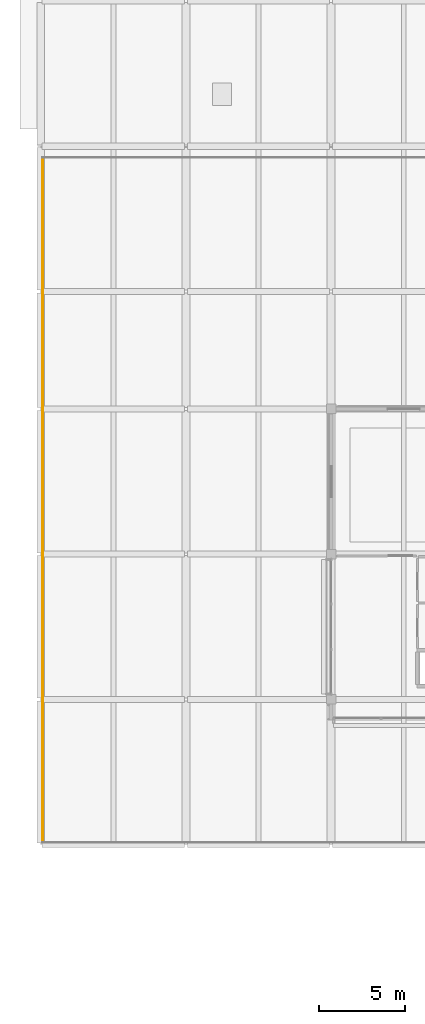
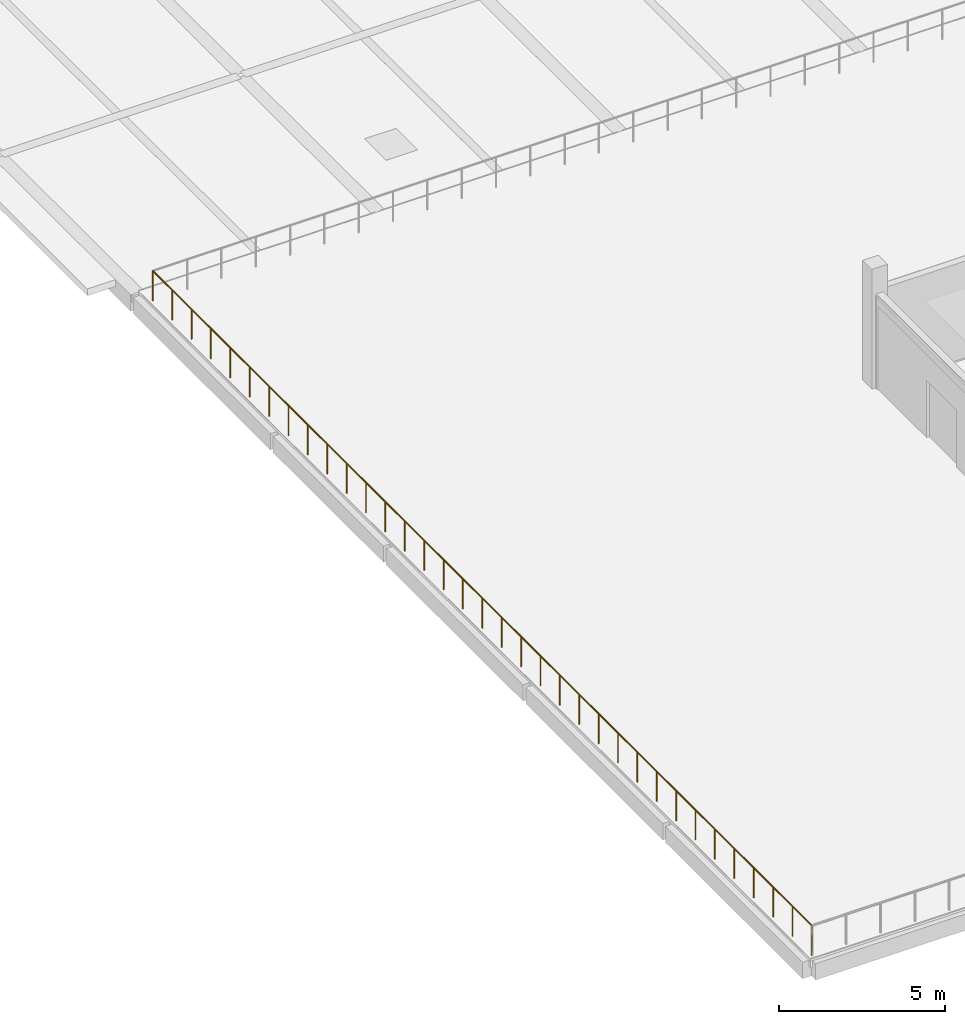
# One storey, part 38 of 59: 1 railing.
"""IFC4 building model written with IfcOpenShell, lengths in metres."""

from ifc_helpers import new_model, si_unit, direction, frame, origin, origin_2d, place, context, subcontext, project, spatial, circle, extrude, material, type_object, element, save


model = new_model("IFC4")

# Units and contexts
model_context = context("Model", 3, precision=1e-05, world=origin(), true_north=direction((0.0, 1.0)))
body_context = subcontext(model_context, "Body", "Model", "MODEL_VIEW")
ifc_project = project(units=[si_unit("LENGTHUNIT", "METRE"), si_unit("AREAUNIT", "SQUARE_METRE"), si_unit("VOLUMEUNIT", "CUBIC_METRE"), si_unit("PLANEANGLEUNIT", "RADIAN"), si_unit("MASSUNIT", "GRAM", prefix="KILO")], contexts=[model_context])

# Site, building, storey
site_placement = place(None, origin())
site = spatial("IfcSite", under=ifc_project, at=site_placement, CompositionType="ELEMENT")
building_placement = place(site_placement, origin())
building = spatial("IfcBuilding", under=site, at=building_placement, Name="Telukmera Botanical Conservatory", CompositionType="ELEMENT")
storey_placement = place(building_placement, frame((0.0, 0.0, 15.0)))
storey = spatial("IfcBuildingStorey", under=building, at=storey_placement, Name="L03", CompositionType="ELEMENT", Elevation=15.0)

# Railing
ifc_material = material(Name="Brushed stainless steel grade 316", Category="steel")
railing_type = type_object("IfcRailingType", Name="Exterior Terrace Safety Guardrail 1100", PredefinedType="GUARDRAIL", material=ifc_material)
railing_placement = place(storey_placement, frame((8.52001953125, 57.35009765625, 0.110107421875)))
element("IfcRailing", 1, at=railing_placement, inside=storey, type_object=railing_type, Name="Visitor Planted Terrace Guardrail L03 W", PredefinedType="GUARDRAIL", context=body_context, shape_type="SweptSolid", body=[
    extrude(circle(Radius=0.02392578125, at=origin_2d()), frame((0.0, 0.0, 1.09619140625), z_axis=(0.0, -1.0, 0.0), x_axis=(1.0, 0.0, 0.0)), (0.0, 0.0, 1.0), 39.630126953125),
    extrude(circle(Radius=0.02099609375, at=origin_2d()), origin(), (0.0, 0.0, 1.0), 1.072021484375),
    extrude(circle(Radius=0.02099609375, at=origin_2d()), frame((0.0, -1.16552734375, 0.0)), (0.0, 0.0, 1.0), 1.072021484375),
    extrude(circle(Radius=0.02099609375, at=origin_2d()), frame((0.0, -2.331298828125, 0.0)), (0.0, 0.0, 1.0), 1.072021484375),
    extrude(circle(Radius=0.02099609375, at=origin_2d()), frame((0.0, -3.496826171875, 0.0)), (0.0, 0.0, 1.0), 1.072021484375),
    extrude(circle(Radius=0.02099609375, at=origin_2d()), frame((0.0, -4.662353515625, 0.0)), (0.0, 0.0, 1.0), 1.072021484375),
    extrude(circle(Radius=0.02099609375, at=origin_2d()), frame((0.0, -5.827880859375, 0.0)), (0.0, 0.0, 1.0), 1.072021484375),
    extrude(circle(Radius=0.02099609375, at=origin_2d()), frame((0.0, -6.99365234375, 0.0)), (0.0, 0.0, 1.0), 1.072021484375),
    extrude(circle(Radius=0.02099609375, at=origin_2d()), frame((0.0, -8.1591796875, 0.0)), (0.0, 0.0, 1.0), 1.072021484375),
    extrude(circle(Radius=0.02099609375, at=origin_2d()), frame((0.0, -9.32470703125, 0.0)), (0.0, 0.0, 1.0), 1.072021484375),
    extrude(circle(Radius=0.02099609375, at=origin_2d()), frame((0.0, -10.490234375, 0.0)), (0.0, 0.0, 1.0), 1.072021484375),
    extrude(circle(Radius=0.02099609375, at=origin_2d()), frame((0.0, -11.656005859375, 0.0)), (0.0, 0.0, 1.0), 1.072021484375),
    extrude(circle(Radius=0.02099609375, at=origin_2d()), frame((0.0, -12.821533203125, 0.0)), (0.0, 0.0, 1.0), 1.072021484375),
    extrude(circle(Radius=0.02099609375, at=origin_2d()), frame((0.0, -13.987060546875, 0.0)), (0.0, 0.0, 1.0), 1.072021484375),
    extrude(circle(Radius=0.02099609375, at=origin_2d()), frame((0.0, -15.152587890625, 0.0)), (0.0, 0.0, 1.0), 1.072021484375),
    extrude(circle(Radius=0.02099609375, at=origin_2d()), frame((0.0, -16.318359375, 0.0)), (0.0, 0.0, 1.0), 1.072021484375),
    extrude(circle(Radius=0.02099609375, at=origin_2d()), frame((0.0, -17.48388671875, 0.0)), (0.0, 0.0, 1.0), 1.072021484375),
    extrude(circle(Radius=0.02099609375, at=origin_2d()), frame((0.0, -18.6494140625, 0.0)), (0.0, 0.0, 1.0), 1.072021484375),
    extrude(circle(Radius=0.02099609375, at=origin_2d()), frame((0.0, -19.81494140625, 0.0)), (0.0, 0.0, 1.0), 1.072021484375),
    extrude(circle(Radius=0.02099609375, at=origin_2d()), frame((0.0, -20.980712890625, 0.0)), (0.0, 0.0, 1.0), 1.072021484375),
    extrude(circle(Radius=0.02099609375, at=origin_2d()), frame((0.0, -22.146240234375, 0.0)), (0.0, 0.0, 1.0), 1.072021484375),
    extrude(circle(Radius=0.02099609375, at=origin_2d()), frame((0.0, -23.311767578125, 0.0)), (0.0, 0.0, 1.0), 1.072021484375),
    extrude(circle(Radius=0.02099609375, at=origin_2d()), frame((0.0, -24.4775390625, 0.0)), (0.0, 0.0, 1.0), 1.072021484375),
    extrude(circle(Radius=0.02099609375, at=origin_2d()), frame((0.0, -25.64306640625, 0.0)), (0.0, 0.0, 1.0), 1.072021484375),
    extrude(circle(Radius=0.02099609375, at=origin_2d()), frame((0.0, -26.80859375, 0.0)), (0.0, 0.0, 1.0), 1.072021484375),
    extrude(circle(Radius=0.02099609375, at=origin_2d()), frame((0.0, -27.97412109375, 0.0)), (0.0, 0.0, 1.0), 1.072021484375),
    extrude(circle(Radius=0.02099609375, at=origin_2d()), frame((0.0, -29.139892578125, 0.0)), (0.0, 0.0, 1.0), 1.072021484375),
    extrude(circle(Radius=0.02099609375, at=origin_2d()), frame((0.0, -30.305419921875, 0.0)), (0.0, 0.0, 1.0), 1.072021484375),
    extrude(circle(Radius=0.02099609375, at=origin_2d()), frame((0.0, -31.470947265625, 0.0)), (0.0, 0.0, 1.0), 1.072021484375),
    extrude(circle(Radius=0.02099609375, at=origin_2d()), frame((0.0, -32.636474609375, 0.0)), (0.0, 0.0, 1.0), 1.072021484375),
    extrude(circle(Radius=0.02099609375, at=origin_2d()), frame((0.0, -33.80224609375, 0.0)), (0.0, 0.0, 1.0), 1.072021484375),
    extrude(circle(Radius=0.02099609375, at=origin_2d()), frame((0.0, -34.9677734375, 0.0)), (0.0, 0.0, 1.0), 1.072021484375),
    extrude(circle(Radius=0.02099609375, at=origin_2d()), frame((0.0, -36.13330078125, 0.0)), (0.0, 0.0, 1.0), 1.072021484375),
    extrude(circle(Radius=0.02099609375, at=origin_2d()), frame((0.0, -37.298828125, 0.0)), (0.0, 0.0, 1.0), 1.072021484375),
    extrude(circle(Radius=0.02099609375, at=origin_2d()), frame((0.0, -38.464599609375, 0.0)), (0.0, 0.0, 1.0), 1.072021484375),
    extrude(circle(Radius=0.02099609375, at=origin_2d()), frame((0.0, -39.630126953125, 0.0)), (0.0, 0.0, 1.0), 1.072021484375),
])

save(model, "model.ifc")
